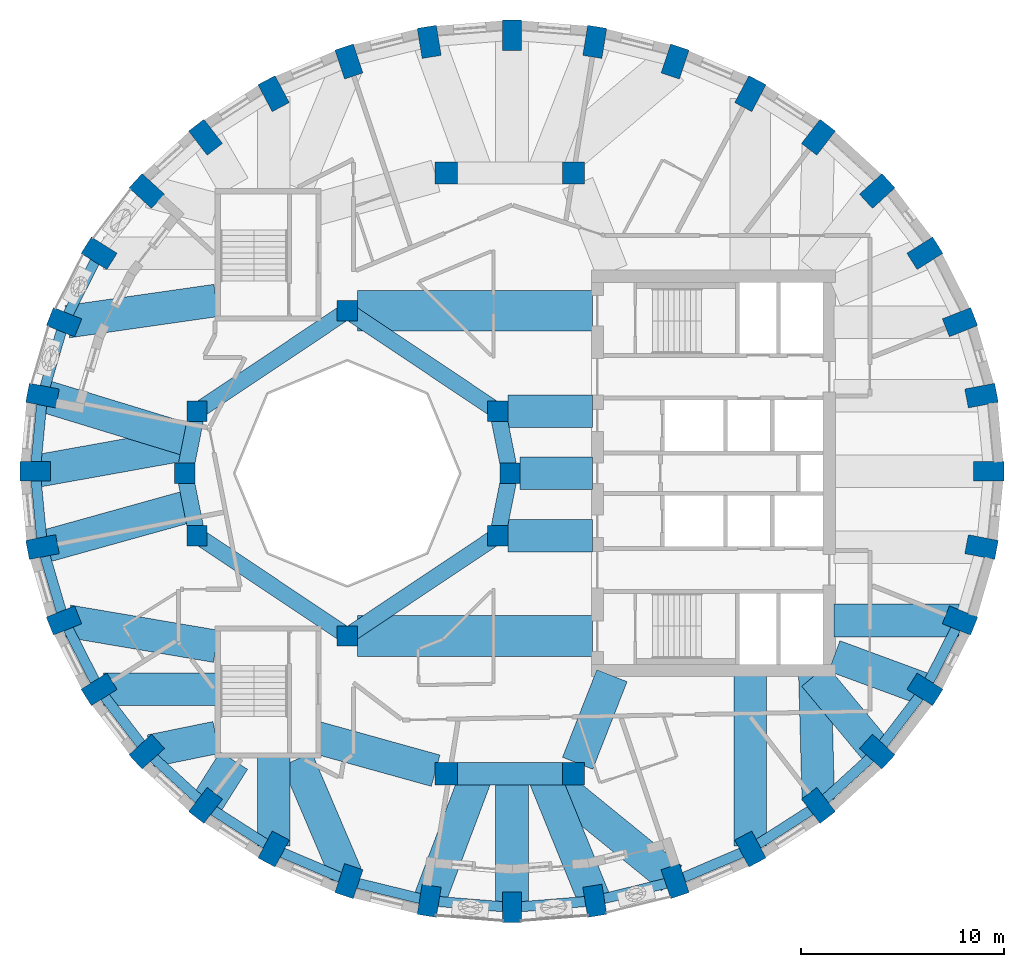
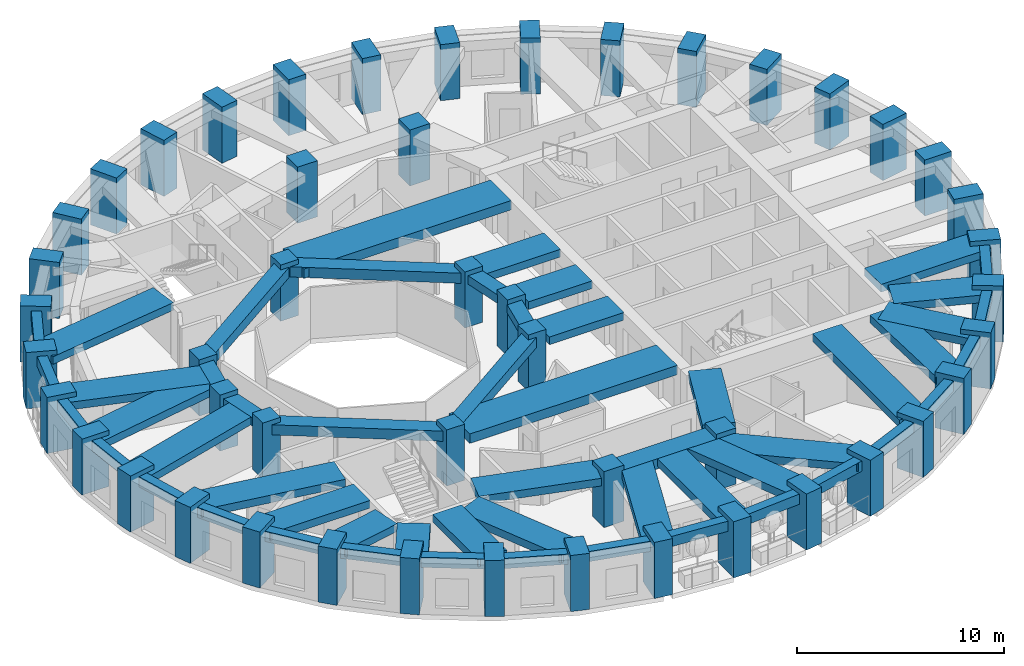
# One storey, part 1 of 11: 54 beams, 48 columns.
"""IFC4 building model written with IfcOpenShell, lengths in metres."""

from ifc_helpers import new_model, si_unit, direction, frame, origin, origin_2d, place, context, subcontext, project, spatial, rectangle, extrude, material, material_profile, profile_set, type_object, element, save


model = new_model("IFC4")

# Units and contexts
model_context = context("Model", 3, precision=1e-05, world=origin(), true_north=direction((0.0, 1.0)))
body_context = subcontext(model_context, "Body", "Model", "MODEL_VIEW")
ifc_project = project(units=[si_unit("LENGTHUNIT", "METRE"), si_unit("AREAUNIT", "SQUARE_METRE"), si_unit("VOLUMEUNIT", "CUBIC_METRE"), si_unit("PLANEANGLEUNIT", "RADIAN"), si_unit("MASSUNIT", "GRAM", prefix="KILO")], contexts=[model_context])

# Site, building, storey
site_placement = place(None, origin())
site = spatial("IfcSite", under=ifc_project, at=site_placement, CompositionType="ELEMENT")
building_placement = place(site_placement, origin())
building = spatial("IfcBuilding", under=site, at=building_placement, Name="Taillehof Tower", CompositionType="ELEMENT")
storey_placement = place(building_placement, frame((0.0, 0.0, 161.60009765625)))
storey = spatial("IfcBuildingStorey", under=building, at=storey_placement, Name="L45", CompositionType="ELEMENT", Elevation=161.60009765625)

# Columns
ifc_material_1 = material(Name="Concrete C50/60", Category="concrete")
ifc_material_profile_1 = material_profile(ifc_material_1, rectangle(XDim=1.0, YDim=1.0, at=origin_2d()), Name="RC 1000x1000")
ifc_profile_set_1 = profile_set([ifc_material_profile_1], Name="Concrete C50/60")
column_type_1 = type_object("IfcColumnType", Name="Atrium ring column C50/60 1000x1000", PredefinedType="COLUMN", material=ifc_profile_set_1)
for number, where, z_axis, x_axis, name in (
    (1, (0.0, 0.0, 0.0), (0.0, 0.0, 1.0), (1.0, 0.0, 0.0), "Column AC01"),
    (2, (-0.60888671875, 3.0615234375, 0.0), (0.0, 0.0, 1.0), (1.0, 0.0, 0.0), "Column AC02"),
    (3, (-8.0, 8.0, 0.0), (0.0, 0.0, 1.0), (1.0, 0.0, 0.0), "Column AC05"),
    (4, (-15.39111328125, 3.0615234375, 0.0), (0.0, 0.0, 1.0), (1.0, 0.0, 0.0), "Column AC08"),
    (5, (-16.0, 0.0, 0.0), (0.0, 0.0, 1.0), (1.0, 0.0, 0.0), "Column AC09"),
    (6, (-15.39111328125, -3.0615234375, 0.0), (0.0, 0.0, 1.0), (1.0, 0.0, 0.0), "Column AC10"),
    (7, (-8.0, -8.0, 0.0), (0.0, 0.0, 1.0), (1.0, 0.0, 0.0), "Column AC13"),
    (8, (-0.60888671875, -3.0615234375, 0.0), (0.0, 0.0, 1.0), (1.0, 0.0, 0.0), "Column AC16"),
):
    element("IfcColumn", number, at=place(storey_placement, frame(where, z_axis=z_axis, x_axis=x_axis)), inside=storey, type_object=column_type_1, Name=name, PredefinedType="COLUMN", context=body_context, shape_type="SweptSolid", body=[
        extrude(rectangle(XDim=1.0, YDim=1.0, at=origin_2d()), origin(), (0.0, 0.0, 1.0), 3.2998046875),
    ])
ifc_material_2 = material(Name="Concrete C50/60", Category="concrete")
ifc_material_profile_2 = material_profile(ifc_material_2, rectangle(XDim=1.10009765625, YDim=1.10009765625, at=origin_2d()), Name="RC 1100x1100")
ifc_profile_set_2 = profile_set([ifc_material_profile_2], Name="Concrete C50/60")
column_type_2 = type_object("IfcColumnType", Name="Mid-ring column C50/60 1100x1100", PredefinedType="COLUMN", material=ifc_profile_set_2)
for number, where, z_axis, x_axis, name in (
    (9, (3.125732421875, 14.772216796875, 0.0), (0.0, 0.0, 1.0), (1.0, 0.0, 0.0), "Column MC05"),
    (10, (-3.125732421875, 14.772216796875, 0.0), (0.0, 0.0, 1.0), (1.0, 0.0, 0.0), "Column MC06"),
    (11, (-3.125732421875, -14.772216796875, 0.0), (0.0, 0.0, 1.0), (1.0, 0.0, 0.0), "Column MC14"),
    (12, (3.125732421875, -14.772216796875, 0.0), (0.0, 0.0, 1.0), (1.0, 0.0, 0.0), "Column MC15"),
):
    element("IfcColumn", number, at=place(storey_placement, frame(where, z_axis=z_axis, x_axis=x_axis)), inside=storey, type_object=column_type_2, Name=name, PredefinedType="COLUMN", context=body_context, shape_type="SweptSolid", body=[
        extrude(rectangle(XDim=1.10009765625, YDim=1.10009765625, at=origin_2d()), origin(), (0.0, 0.0, 1.0), 3.2998046875),
    ])
ifc_material_3 = material(Name="Concrete C60/75", Category="concrete")
ifc_material_profile_3 = material_profile(ifc_material_3, rectangle(XDim=1.5, YDim=0.949951171875, at=origin_2d()), Name="RC 1500x950")
ifc_profile_set_3 = profile_set([ifc_material_profile_3], Name="Concrete C60/75")
column_type_3 = type_object("IfcColumnType", Name="Ring column C60/75 1500x950", PredefinedType="COLUMN", material=ifc_profile_set_3)
for number, where, z_axis, x_axis, name in (
    (13, (23.550048828125, 0.10009765625, 0.0), (0.0, 0.0, 1.0), (1.0, 0.0, 0.0), "Ring column RC01"),
    (14, (23.19384765625, 3.82470703125, 0.0), (0.0, 0.0, 1.0), (0.98202380309, 0.188757119508, 0.0), "Ring column RC02"),
    (15, (22.1357421875, 7.436279296875, 0.0), (0.0, 0.0, 1.0), (0.929511471762, 0.368793199317, 0.0), "Ring column RC03"),
    (16, (20.408203125, 10.824951171875, 0.0), (0.0, 0.0, 1.0), (0.846334224225, 0.532652213837, 0.0), "Ring column RC04"),
    (17, (18.063720703125, 13.8876953125, 0.0), (0.0, 0.0, 1.0), (0.7378786352, 0.674933418727, 0.0), "Ring column RC05"),
    (18, (15.17333984375, 16.53173828125, 0.0), (0.0, 0.0, 1.0), (0.609970500644, 0.792424121506, 0.0), "Ring column RC06"),
    (19, (11.824951171875, 18.67626953125, 0.0), (0.0, 0.0, 1.0), (0.468042101717, 0.883706167807, 0.0), "Ring column RC07"),
    (20, (8.120361328125, 20.25634765625, 0.0), (0.0, 0.0, 1.0), (0.316702950283, 0.948524771043, 0.0), "Ring column RC08"),
    (21, (4.172119140625, 21.22412109375, 0.0), (0.0, 0.0, 1.0), (0.159679090777, 0.987168976401, 0.0), "Ring column RC09"),
    (22, (0.10009765625, 21.550048828125, 0.0), (0.0, 0.0, 1.0), (0.0, 1.0, 0.0), "Ring column RC10"),
    (23, (-3.97216796875, 21.22412109375, 0.0), (0.0, 0.0, 1.0), (-0.159679090777, 0.987168976401, 0.0), "Ring column RC11"),
    (24, (-7.92041015625, 20.25634765625, 0.0), (0.0, 0.0, 1.0), (-0.316702950283, 0.948524771043, 0.0), "Ring column RC12"),
    (25, (-11.625, 18.67626953125, 0.0), (0.0, 0.0, 1.0), (-0.468042101717, 0.883706167807, 0.0), "Ring column RC13"),
    (26, (-14.973388671875, 16.53173828125, 0.0), (0.0, 0.0, 1.0), (-0.609970500644, 0.792424121506, 0.0), "Ring column RC14"),
    (27, (-17.86376953125, 13.8876953125, 0.0), (0.0, 0.0, 1.0), (-0.7378786352, 0.674933418727, 0.0), "Ring column RC15"),
    (28, (-20.208251953125, 10.824951171875, 0.0), (0.0, 0.0, 1.0), (-0.846334224225, 0.532652213837, 0.0), "Ring column RC16"),
    (29, (-21.935791015625, 7.436279296875, 0.0), (0.0, 0.0, 1.0), (-0.929511471762, 0.368793199317, 0.0), "Ring column RC17"),
    (30, (-22.99365234375, 3.82470703125, 0.0), (0.0, 0.0, 1.0), (-0.98202380309, 0.188757119508, 0.0), "Ring column RC18"),
    (31, (-23.35009765625, 0.10009765625, 0.0), (0.0, 0.0, 1.0), (-1.0, 0.0, 0.0), "Ring column RC19"),
    (32, (-22.99365234375, -3.624755859375, 0.0), (0.0, 0.0, 1.0), (-0.98202380309, -0.188757119508, 0.0), "Ring column RC20"),
    (33, (-21.935791015625, -7.236328125, 0.0), (0.0, 0.0, 1.0), (-0.929511471762, -0.368793199317, 0.0), "Ring column RC21"),
    (34, (-20.208251953125, -10.625, 0.0), (0.0, 0.0, 1.0), (-0.846334224225, -0.532652213837, 0.0), "Ring column RC22"),
    (35, (-17.86376953125, -13.687744140625, 0.0), (0.0, 0.0, 1.0), (-0.7378786352, -0.674933418727, 0.0), "Ring column RC23"),
    (36, (-14.973388671875, -16.33154296875, 0.0), (0.0, 0.0, 1.0), (-0.609970500644, -0.792424121506, 0.0), "Ring column RC24"),
    (37, (-11.625, -18.476318359375, 0.0), (0.0, 0.0, 1.0), (-0.468042101717, -0.883706167807, 0.0), "Ring column RC25"),
    (38, (-7.92041015625, -20.056396484375, 0.0), (0.0, 0.0, 1.0), (-0.316702950283, -0.948524771043, 0.0), "Ring column RC26"),
    (39, (-3.97216796875, -21.024169921875, 0.0), (0.0, 0.0, 1.0), (-0.159679090777, -0.987168976401, 0.0), "Ring column RC27"),
    (40, (0.10009765625, -21.35009765625, 0.0), (0.0, 0.0, 1.0), (0.0, -1.0, 0.0), "Ring column RC28"),
    (41, (4.172119140625, -21.024169921875, 0.0), (0.0, 0.0, 1.0), (0.159679090777, -0.987168976401, 0.0), "Ring column RC29"),
    (42, (8.120361328125, -20.056396484375, 0.0), (0.0, 0.0, 1.0), (0.316702950283, -0.948524771043, 0.0), "Ring column RC30"),
    (43, (11.824951171875, -18.476318359375, 0.0), (0.0, 0.0, 1.0), (0.468042101717, -0.883706167807, 0.0), "Ring column RC31"),
    (44, (15.17333984375, -16.33154296875, 0.0), (0.0, 0.0, 1.0), (0.609970500644, -0.792424121506, 0.0), "Ring column RC32"),
    (45, (18.063720703125, -13.687744140625, 0.0), (0.0, 0.0, 1.0), (0.7378786352, -0.674933418727, 0.0), "Ring column RC33"),
    (46, (20.408203125, -10.625, 0.0), (0.0, 0.0, 1.0), (0.846334224225, -0.532652213837, 0.0), "Ring column RC34"),
    (47, (22.1357421875, -7.236328125, 0.0), (0.0, 0.0, 1.0), (0.929511471762, -0.368793199317, 0.0), "Ring column RC35"),
    (48, (23.19384765625, -3.624755859375, 0.0), (0.0, 0.0, 1.0), (0.98202380309, -0.188757119508, 0.0), "Ring column RC36"),
):
    element("IfcColumn", number, at=place(storey_placement, frame(where, z_axis=z_axis, x_axis=x_axis)), inside=storey, type_object=column_type_3, Name=name, PredefinedType="COLUMN", context=body_context, shape_type="SweptSolid", body=[
        extrude(rectangle(XDim=1.5, YDim=0.949951171875, at=origin_2d()), origin(), (0.0, 0.0, 1.0), 3.2998046875),
    ])

# Beams
ifc_material_4 = material(Name="Concrete C50/60", Category="concrete")
ifc_material_profile_4 = material_profile(ifc_material_4, rectangle(XDim=0.800048828125, YDim=0.5, at=origin_2d()), Name="RC 800x500")
ifc_profile_set_4 = profile_set([ifc_material_profile_4], Name="Concrete C50/60")
beam_type_1 = type_object("IfcBeamType", Name="Atrium ring beam C50/60 800x500", PredefinedType="BEAM", material=ifc_profile_set_4)
for number, where, z_axis, x_axis, name in (
    (49, (0.0, 0.0, 2.77001953125), (-0.195063155143, 0.980790683839, 0.0), (-0.980790683839, -0.195063155143, 0.0), "Atrium ring beam AB01"),
    (50, (-15.39111328125, 3.0615234375, 2.77001953125), (-0.195063155143, -0.980790683839, 0.0), (0.980790683839, -0.195063155143, 0.0), "Atrium ring beam AB04"),
    (51, (-16.0, 0.0, 2.77001953125), (0.195063155143, -0.980790683839, 0.0), (0.980790683839, 0.195063155143, 0.0), "Atrium ring beam AB05"),
    (52, (-0.60888671875, -3.0615234375, 2.77001953125), (0.195063155143, 0.980790683839, 0.0), (-0.980790683839, 0.195063155143, 0.0), "Atrium ring beam AB08"),
):
    element("IfcBeam", number, at=place(storey_placement, frame(where, z_axis=z_axis, x_axis=x_axis)), inside=storey, type_object=beam_type_1, Name=name, PredefinedType="BEAM", context=body_context, shape_type="SweptSolid", body=[
        extrude(rectangle(XDim=0.800048828125, YDim=0.5, at=origin_2d()), origin(), (0.0, 0.0, 1.0), 3.12158203125),
    ])
ifc_material_5 = material(Name="Concrete C50/60", Category="concrete")
ifc_material_profile_5 = material_profile(ifc_material_5, rectangle(XDim=0.800048828125, YDim=0.60009765625, at=origin_2d()), Name="RC 800x600")
ifc_profile_set_5 = profile_set([ifc_material_profile_5], Name="Concrete C50/60")
beam_type_2 = type_object("IfcBeamType", Name="Atrium ring beam C50/60 800x600", PredefinedType="BEAM", material=ifc_profile_set_5)
for number, where, z_axis, x_axis, name in (
    (53, (-0.60888671875, 3.0615234375, 2.719970703125), (-0.831475195687, 0.555561876804, 0.0), (-0.555561876804, -0.831475195687, 0.0), "Atrium ring beam AB02"),
    (54, (-8.0, 8.0, 2.719970703125), (-0.831475195687, -0.555561876804, 0.0), (0.555561876804, -0.831475195687, 0.0), "Atrium ring beam AB03"),
    (55, (-15.39111328125, -3.0615234375, 2.719970703125), (0.831475195687, -0.555561876804, 0.0), (0.555561876804, 0.831475195687, 0.0), "Atrium ring beam AB06"),
    (56, (-8.0, -8.0, 2.719970703125), (0.831475195687, 0.555561876804, 0.0), (-0.555561876804, 0.831475195687, 0.0), "Atrium ring beam AB07"),
):
    element("IfcBeam", number, at=place(storey_placement, frame(where, z_axis=z_axis, x_axis=x_axis)), inside=storey, type_object=beam_type_2, Name=name, PredefinedType="BEAM", context=body_context, shape_type="SweptSolid", body=[
        extrude(rectangle(XDim=0.800048828125, YDim=0.60009765625, at=origin_2d()), origin(), (0.0, 0.0, 1.0), 8.88916015625),
    ])
ifc_material_6 = material(Name="Concrete C50/60", Category="concrete")
ifc_material_profile_6 = material_profile(ifc_material_6, rectangle(XDim=1.10009765625, YDim=0.60009765625, at=origin_2d()), Name="RC 1100x600")
ifc_profile_set_6 = profile_set([ifc_material_profile_6], Name="Concrete C50/60")
beam_type_3 = type_object("IfcBeamType", Name="Mid-ring beam C50/60 1100x600", PredefinedType="BEAM", material=ifc_profile_set_6)
beam_1_placement = place(storey_placement, frame((-3.125732421875, -14.772216796875, 2.719970703125), z_axis=(1.0, 0.0, 0.0), x_axis=(0.0, 1.0, 0.0)))
element("IfcBeam", 57, at=beam_1_placement, inside=storey, type_object=beam_type_3, Name="Mid-ring beam MB02", PredefinedType="BEAM", context=body_context, shape_type="SweptSolid", body=[
    extrude(rectangle(XDim=1.10009765625, YDim=0.60009765625, at=origin_2d()), origin(), (0.0, 0.0, 1.0), 6.25146484375),
])
ifc_material_7 = material(Name="Concrete C50/60", Category="concrete")
ifc_material_profile_7 = material_profile(ifc_material_7, rectangle(XDim=1.60009765625, YDim=0.449951171875, at=origin_2d()), Name="RC 1600x450")
ifc_profile_set_7 = profile_set([ifc_material_profile_7], Name="Concrete C50/60")
beam_type_4 = type_object("IfcBeamType", Name="Radial band beam C50/60 1600x450", PredefinedType="BEAM", material=ifc_profile_set_7)
beam_2_placement = place(storey_placement, frame((-21.766845703125, 7.46044921875, 2.794921875), z_axis=(0.989922388732, 0.141610961042, 0.0), x_axis=(-0.141610961042, 0.989922388732, 0.0)))
element("IfcBeam", 58, at=beam_2_placement, inside=storey, type_object=beam_type_4, Name="Radial band beam RB17", PredefinedType="BEAM", context=body_context, shape_type="SweptSolid", body=[
    extrude(rectangle(XDim=1.60009765625, YDim=0.449951171875, at=origin_2d()), origin(), (0.0, 0.0, 1.0), 7.390869140625),
])
beam_3_placement = place(storey_placement, frame((-22.99365234375, 3.82470703125, 2.794921875), z_axis=(0.956324293447, -0.292307792854, 0.0), x_axis=(0.292307792854, 0.956324293447, 0.0)))
element("IfcBeam", 59, at=beam_3_placement, inside=storey, type_object=beam_type_4, Name="Radial band beam RB18", PredefinedType="BEAM", context=body_context, shape_type="SweptSolid", body=[
    extrude(rectangle(XDim=1.60009765625, YDim=0.449951171875, at=origin_2d()), origin(), (0.0, 0.0, 1.0), 7.643798828125),
])
beam_4_placement = place(storey_placement, frame((-23.35009765625, 0.10009765625, 2.794921875), z_axis=(0.984286763882, 0.176577366745, 0.0), x_axis=(-0.176577366745, 0.984286763882, 0.0)))
element("IfcBeam", 60, at=beam_4_placement, inside=storey, type_object=beam_type_4, Name="Radial band beam RB19", PredefinedType="BEAM", context=body_context, shape_type="SweptSolid", body=[
    extrude(rectangle(XDim=1.60009765625, YDim=0.449951171875, at=origin_2d()), origin(), (0.0, 0.0, 1.0), 7.764892578125),
])
beam_5_placement = place(storey_placement, frame((-22.99365234375, -3.624755859375, 2.794921875), z_axis=(0.96338688135, 0.268115118639, 0.0), x_axis=(-0.268115118639, 0.96338688135, 0.0)))
element("IfcBeam", 61, at=beam_5_placement, inside=storey, type_object=beam_type_4, Name="Radial band beam RB20", PredefinedType="BEAM", context=body_context, shape_type="SweptSolid", body=[
    extrude(rectangle(XDim=1.60009765625, YDim=0.449951171875, at=origin_2d()), origin(), (0.0, 0.0, 1.0), 7.587890625),
])
beam_6_placement = place(storey_placement, frame((-21.744140625, -7.268798828125, 2.794921875), z_axis=(0.985864460395, -0.167544817079, 0.0), x_axis=(0.167544817079, 0.985864460395, 0.0)))
element("IfcBeam", 62, at=beam_6_placement, inside=storey, type_object=beam_type_4, Name="Radial band beam RB21", PredefinedType="BEAM", context=body_context, shape_type="SweptSolid", body=[
    extrude(rectangle(XDim=1.60009765625, YDim=0.449951171875, at=origin_2d()), origin(), (0.0, 0.0, 1.0), 7.39794921875),
])
beam_7_placement = place(storey_placement, frame((-19.9990234375, -10.625, 2.794921875), z_axis=(1.0, 0.0, 0.0), x_axis=(0.0, 1.0, 0.0)))
element("IfcBeam", 63, at=beam_7_placement, inside=storey, type_object=beam_type_4, Name="Radial band beam RB22", PredefinedType="BEAM", context=body_context, shape_type="SweptSolid", body=[
    extrude(rectangle(XDim=1.60009765625, YDim=0.449951171875, at=origin_2d()), origin(), (0.0, 0.0, 1.0), 5.549072265625),
])
beam_8_placement = place(storey_placement, frame((-17.678955078125, -13.64990234375, 2.794921875), z_axis=(0.979736748385, 0.200289550059, 0.0), x_axis=(-0.200289550059, 0.979736748385, 0.0)))
element("IfcBeam", 64, at=beam_8_placement, inside=storey, type_object=beam_type_4, Name="Radial band beam RB23", PredefinedType="BEAM", context=body_context, shape_type="SweptSolid", body=[
    extrude(rectangle(XDim=1.60009765625, YDim=0.449951171875, at=origin_2d()), origin(), (0.0, 0.0, 1.0), 3.294677734375),
])
beam_9_placement = place(storey_placement, frame((-14.973388671875, -16.33154296875, 2.794921875), z_axis=(0.534207803896, 0.845353193794, 0.0), x_axis=(-0.845353193794, 0.534207803896, 0.0)))
element("IfcBeam", 65, at=beam_9_placement, inside=storey, type_object=beam_type_4, Name="Radial band beam RB24", PredefinedType="BEAM", context=body_context, shape_type="SweptSolid", body=[
    extrude(rectangle(XDim=1.60009765625, YDim=0.449951171875, at=origin_2d()), origin(), (0.0, 0.0, 1.0), 2.608154296875),
])
beam_10_placement = place(storey_placement, frame((-11.625, -18.33642578125, 2.794921875), z_axis=(0.0, 1.0, 0.0), x_axis=(-1.0, 0.0, 0.0)))
element("IfcBeam", 66, at=beam_10_placement, inside=storey, type_object=beam_type_4, Name="Radial band beam RB25", PredefinedType="BEAM", context=body_context, shape_type="SweptSolid", body=[
    extrude(rectangle(XDim=1.60009765625, YDim=0.449951171875, at=origin_2d()), origin(), (0.0, 0.0, 1.0), 4.386474609375),
])
beam_11_placement = place(storey_placement, frame((-8.049072265625, -19.75390625, 2.794921875), z_axis=(-0.391879389257, 0.9200166, 0.0), x_axis=(-0.9200166, -0.391879389257, 0.0)))
element("IfcBeam", 67, at=beam_11_placement, inside=storey, type_object=beam_type_4, Name="Radial band beam RB26", PredefinedType="BEAM", context=body_context, shape_type="SweptSolid", body=[
    extrude(rectangle(XDim=1.60009765625, YDim=0.449951171875, at=origin_2d()), origin(), (0.0, 0.0, 1.0), 6.18505859375),
])
beam_12_placement = place(storey_placement, frame((-3.97216796875, -21.024169921875, 2.794921875), z_axis=(0.351379850477, 0.936232984186, 0.0), x_axis=(-0.936232984186, 0.351379850477, 0.0)))
element("IfcBeam", 68, at=beam_12_placement, inside=storey, type_object=beam_type_4, Name="Radial band beam RB27", PredefinedType="BEAM", context=body_context, shape_type="SweptSolid", body=[
    extrude(rectangle(XDim=1.60009765625, YDim=0.449951171875, at=origin_2d()), origin(), (0.0, 0.0, 1.0), 6.677734375),
])
beam_13_placement = place(storey_placement, frame((0.10009765625, -21.35009765625, 2.794921875), z_axis=(0.0, 1.0, 0.0), x_axis=(-1.0, 0.0, 0.0)))
element("IfcBeam", 69, at=beam_13_placement, inside=storey, type_object=beam_type_4, Name="Radial band beam RB28", PredefinedType="BEAM", context=body_context, shape_type="SweptSolid", body=[
    extrude(rectangle(XDim=1.60009765625, YDim=0.449951171875, at=origin_2d()), origin(), (0.0, 0.0, 1.0), 6.577880859375),
])
beam_14_placement = place(storey_placement, frame((4.172119140625, -21.024169921875, 2.794921875), z_axis=(-0.377207279938, 0.926128861424, 0.0), x_axis=(-0.926128861424, -0.377207279938, 0.0)))
element("IfcBeam", 70, at=beam_14_placement, inside=storey, type_object=beam_type_4, Name="Radial band beam RB29", PredefinedType="BEAM", context=body_context, shape_type="SweptSolid", body=[
    extrude(rectangle(XDim=1.60009765625, YDim=0.449951171875, at=origin_2d()), origin(), (0.0, 0.0, 1.0), 6.750732421875),
])
beam_15_placement = place(storey_placement, frame((7.95556640625, -19.92236328125, 2.794921875), z_axis=(-0.775687012842, 0.631117784655, 0.0), x_axis=(-0.631117784655, -0.775687012842, 0.0)))
element("IfcBeam", 71, at=beam_15_placement, inside=storey, type_object=beam_type_4, Name="Radial band beam RB30", PredefinedType="BEAM", context=body_context, shape_type="SweptSolid", body=[
    extrude(rectangle(XDim=1.60009765625, YDim=0.449951171875, at=origin_2d()), origin(), (0.0, 0.0, 1.0), 8.048583984375),
])
beam_16_placement = place(storey_placement, frame((11.824951171875, -18.33642578125, 2.794921875), z_axis=(0.0, 1.0, 0.0), x_axis=(-1.0, 0.0, 0.0)))
element("IfcBeam", 72, at=beam_16_placement, inside=storey, type_object=beam_type_4, Name="Radial band beam RB31", PredefinedType="BEAM", context=body_context, shape_type="SweptSolid", body=[
    extrude(rectangle(XDim=1.60009765625, YDim=0.449951171875, at=origin_2d()), origin(), (0.0, 0.0, 1.0), 8.386474609375),
])
beam_17_placement = place(storey_placement, frame((15.166015625, -16.060546875, 2.794921875), z_axis=(-0.027397917621, 0.999624606595, 0.0), x_axis=(-0.999624606595, -0.027397917621, 0.0)))
element("IfcBeam", 73, at=beam_17_placement, inside=storey, type_object=beam_type_4, Name="Radial band beam RB32", PredefinedType="BEAM", context=body_context, shape_type="SweptSolid", body=[
    extrude(rectangle(XDim=1.60009765625, YDim=0.449951171875, at=origin_2d()), origin(), (0.0, 0.0, 1.0), 6.11279296875),
])
beam_18_placement = place(storey_placement, frame((18.063720703125, -13.687744140625, 2.794921875), z_axis=(-0.639018777093, 0.769191135234, 0.0), x_axis=(-0.769191135234, -0.639018777093, 0.0)))
element("IfcBeam", 74, at=beam_18_placement, inside=storey, type_object=beam_type_4, Name="Radial band beam RB33", PredefinedType="BEAM", context=body_context, shape_type="SweptSolid", body=[
    extrude(rectangle(XDim=1.60009765625, YDim=0.449951171875, at=origin_2d()), origin(), (0.0, 0.0, 1.0), 4.844482421875),
])
beam_19_placement = place(storey_placement, frame((20.408203125, -10.625, 2.794921875), z_axis=(-0.938275503033, 0.345888826661, 0.0), x_axis=(-0.345888826661, -0.938275503033, 0.0)))
element("IfcBeam", 75, at=beam_19_placement, inside=storey, type_object=beam_type_4, Name="Radial band beam RB34", PredefinedType="BEAM", context=body_context, shape_type="SweptSolid", body=[
    extrude(rectangle(XDim=1.60009765625, YDim=0.449951171875, at=origin_2d()), origin(), (0.0, 0.0, 1.0), 4.748046875),
])
beam_20_placement = place(storey_placement, frame((22.08642578125, -7.236328125, 2.794921875), z_axis=(-1.0, 0.0, 0.0), x_axis=(0.0, -1.0, 0.0)))
element("IfcBeam", 76, at=beam_20_placement, inside=storey, type_object=beam_type_4, Name="Radial band beam RB35", PredefinedType="BEAM", context=body_context, shape_type="SweptSolid", body=[
    extrude(rectangle(XDim=1.60009765625, YDim=0.449951171875, at=origin_2d()), origin(), (0.0, 0.0, 1.0), 6.136474609375),
])
beam_21_placement = place(storey_placement, frame((0.5, 0.0, 2.794921875), z_axis=(1.0, 0.0, 0.0), x_axis=(0.0, 1.0, 0.0)))
element("IfcBeam", 77, at=beam_21_placement, inside=storey, type_object=beam_type_4, Name="Inner band beam IB101", PredefinedType="BEAM", context=body_context, shape_type="SweptSolid", body=[
    extrude(rectangle(XDim=1.60009765625, YDim=0.449951171875, at=origin_2d()), origin(), (0.0, 0.0, 1.0), 3.550048828125),
])
for number, where, z_axis, x_axis, name in (
    (78, (-0.10888671875, 3.0615234375, 2.794921875), (1.0, 0.0, 0.0), (0.0, 1.0, 0.0), "Inner band beam IB102"),
    (79, (-0.10888671875, -3.0615234375, 2.794921875), (1.0, 0.0, 0.0), (0.0, 1.0, 0.0), "Inner band beam IB116"),
):
    element("IfcBeam", number, at=place(storey_placement, frame(where, z_axis=z_axis, x_axis=x_axis)), inside=storey, type_object=beam_type_4, Name=name, PredefinedType="BEAM", context=body_context, shape_type="SweptSolid", body=[
        extrude(rectangle(XDim=1.60009765625, YDim=0.449951171875, at=origin_2d()), origin(), (0.0, 0.0, 1.0), 4.158935546875),
    ])
beam_22_placement = place(storey_placement, frame((-3.655517578125, -14.624755859375, 2.794921875), z_axis=(-0.963459369536, 0.267854518821, 0.0), x_axis=(-0.267854518821, -0.963459369536, 0.0)))
element("IfcBeam", 80, at=beam_22_placement, inside=storey, type_object=beam_type_4, Name="Inner band beam IB214", PredefinedType="BEAM", context=body_context, shape_type="SweptSolid", body=[
    extrude(rectangle(XDim=1.60009765625, YDim=0.449951171875, at=origin_2d()), origin(), (0.0, 0.0, 1.0), 6.096923828125),
])
beam_23_placement = place(storey_placement, frame((3.32666015625, -14.26025390625, 2.794921875), z_axis=(0.365588707223, 0.930776502255, 0.0), x_axis=(-0.930776502255, 0.365588707223, 0.0)))
element("IfcBeam", 81, at=beam_23_placement, inside=storey, type_object=beam_type_4, Name="Inner band beam IB215", PredefinedType="BEAM", context=body_context, shape_type="SweptSolid", body=[
    extrude(rectangle(XDim=1.60009765625, YDim=0.449951171875, at=origin_2d()), origin(), (0.0, 0.0, 1.0), 4.627197265625),
])
ifc_material_8 = material(Name="Concrete C50/60", Category="concrete")
ifc_material_profile_8 = material_profile(ifc_material_8, rectangle(XDim=2.0, YDim=0.550048828125, at=origin_2d()), Name="RC 2000x550")
ifc_profile_set_8 = profile_set([ifc_material_profile_8], Name="Concrete C50/60")
beam_type_5 = type_object("IfcBeamType", Name="Radial band beam C50/60 2000x550", PredefinedType="BEAM", material=ifc_profile_set_8)
for number, where, z_axis, x_axis, name in (
    (82, (-7.5, 8.0, 2.744873046875), (1.0, 0.0, 0.0), (0.0, 1.0, 0.0), "Inner band beam IB105"),
    (83, (-7.5, -8.0, 2.744873046875), (1.0, 0.0, 0.0), (0.0, 1.0, 0.0), "Inner band beam IB113"),
):
    element("IfcBeam", number, at=place(storey_placement, frame(where, z_axis=z_axis, x_axis=x_axis)), inside=storey, type_object=beam_type_5, Name=name, PredefinedType="BEAM", context=body_context, shape_type="SweptSolid", body=[
        extrude(rectangle(XDim=2.0, YDim=0.550048828125, at=origin_2d()), origin(), (0.0, 0.0, 1.0), 11.550048828125),
    ])
ifc_material_9 = material(Name="Concrete C50/60", Category="concrete")
ifc_material_profile_9 = material_profile(ifc_material_9, rectangle(XDim=0.5, YDim=0.60009765625, at=origin_2d()), Name="RC 500x600")
ifc_profile_set_9 = profile_set([ifc_material_profile_9], Name="Concrete C50/60")
beam_type_6 = type_object("IfcBeamType", Name="Spandrel beam C50/60 500x600", PredefinedType="SPANDREL", material=ifc_profile_set_9)
beam_24_placement = place(storey_placement, frame((-20.208251953125, 10.824951171875, 2.719970703125), z_axis=(-0.454183451696, -0.890908183937, 0.0), x_axis=(0.890908183937, -0.454183451696, 0.0)))
element("IfcBeam", 84, at=beam_24_placement, inside=storey, type_object=beam_type_6, Name="Spandrel beam SB16", PredefinedType="SPANDREL", context=body_context, shape_type="SweptSolid", body=[
    extrude(rectangle(XDim=0.5, YDim=0.60009765625, at=origin_2d()), origin(), (0.0, 0.0, 1.0), 3.8037109375),
])
beam_25_placement = place(storey_placement, frame((-21.935791015625, 7.436279296875, 2.719970703125), z_axis=(-0.281098416478, -0.959678946447, 0.0), x_axis=(0.959678946447, -0.281098416478, 0.0)))
element("IfcBeam", 85, at=beam_25_placement, inside=storey, type_object=beam_type_6, Name="Spandrel beam SB17", PredefinedType="SPANDREL", context=body_context, shape_type="SweptSolid", body=[
    extrude(rectangle(XDim=0.5, YDim=0.60009765625, at=origin_2d()), origin(), (0.0, 0.0, 1.0), 3.763427734375),
])
beam_26_placement = place(storey_placement, frame((-22.99365234375, 3.82470703125, 2.719970703125), z_axis=(-0.095264805358, -0.995451966124, 0.0), x_axis=(0.995451966124, -0.095264805358, 0.0)))
element("IfcBeam", 86, at=beam_26_placement, inside=storey, type_object=beam_type_6, Name="Spandrel beam SB18", PredefinedType="SPANDREL", context=body_context, shape_type="SweptSolid", body=[
    extrude(rectangle(XDim=0.5, YDim=0.60009765625, at=origin_2d()), origin(), (0.0, 0.0, 1.0), 3.74169921875),
])
beam_27_placement = place(storey_placement, frame((-23.35009765625, 0.10009765625, 2.719970703125), z_axis=(0.095258618013, -0.995452558234, 0.0), x_axis=(0.995452558234, 0.095258618013, 0.0)))
element("IfcBeam", 87, at=beam_27_placement, inside=storey, type_object=beam_type_6, Name="Spandrel beam SB19", PredefinedType="SPANDREL", context=body_context, shape_type="SweptSolid", body=[
    extrude(rectangle(XDim=0.5, YDim=0.60009765625, at=origin_2d()), origin(), (0.0, 0.0, 1.0), 3.741943359375),
])
beam_28_placement = place(storey_placement, frame((-22.99365234375, -3.624755859375, 2.719970703125), z_axis=(0.281098416478, -0.959678946447, 0.0), x_axis=(0.959678946447, 0.281098416478, 0.0)))
element("IfcBeam", 88, at=beam_28_placement, inside=storey, type_object=beam_type_6, Name="Spandrel beam SB20", PredefinedType="SPANDREL", context=body_context, shape_type="SweptSolid", body=[
    extrude(rectangle(XDim=0.5, YDim=0.60009765625, at=origin_2d()), origin(), (0.0, 0.0, 1.0), 3.763427734375),
])
beam_29_placement = place(storey_placement, frame((-21.935791015625, -7.236328125, 2.719970703125), z_axis=(0.454183451696, -0.890908183937, 0.0), x_axis=(0.890908183937, 0.454183451696, 0.0)))
element("IfcBeam", 89, at=beam_29_placement, inside=storey, type_object=beam_type_6, Name="Spandrel beam SB21", PredefinedType="SPANDREL", context=body_context, shape_type="SweptSolid", body=[
    extrude(rectangle(XDim=0.5, YDim=0.60009765625, at=origin_2d()), origin(), (0.0, 0.0, 1.0), 3.8037109375),
])
beam_30_placement = place(storey_placement, frame((-20.208251953125, -10.625, 2.719970703125), z_axis=(0.60784004271, -0.794059495553, 0.0), x_axis=(0.794059495553, 0.60784004271, 0.0)))
element("IfcBeam", 90, at=beam_30_placement, inside=storey, type_object=beam_type_6, Name="Spandrel beam SB22", PredefinedType="SPANDREL", context=body_context, shape_type="SweptSolid", body=[
    extrude(rectangle(XDim=0.5, YDim=0.60009765625, at=origin_2d()), origin(), (0.0, 0.0, 1.0), 3.857177734375),
])
beam_31_placement = place(storey_placement, frame((-17.86376953125, -13.687744140625, 2.719970703125), z_axis=(0.737880696592, -0.674931165081, 0.0), x_axis=(0.674931165081, 0.737880696592, 0.0)))
element("IfcBeam", 91, at=beam_31_placement, inside=storey, type_object=beam_type_6, Name="Spandrel beam SB23", PredefinedType="SPANDREL", context=body_context, shape_type="SweptSolid", body=[
    extrude(rectangle(XDim=0.5, YDim=0.60009765625, at=origin_2d()), origin(), (0.0, 0.0, 1.0), 3.917236328125),
])
beam_32_placement = place(storey_placement, frame((-14.973388671875, -16.33154296875, 2.719970703125), z_axis=(0.842065054946, -0.539375975771, 0.0), x_axis=(0.539375975771, 0.842065054946, 0.0)))
element("IfcBeam", 92, at=beam_32_placement, inside=storey, type_object=beam_type_6, Name="Spandrel beam SB24", PredefinedType="SPANDREL", context=body_context, shape_type="SweptSolid", body=[
    extrude(rectangle(XDim=0.5, YDim=0.60009765625, at=origin_2d()), origin(), (0.0, 0.0, 1.0), 3.976318359375),
])
beam_33_placement = place(storey_placement, frame((-11.625, -18.476318359375, 2.719970703125), z_axis=(0.919827173659, -0.392323808351, 0.0), x_axis=(0.392323808351, 0.919827173659, 0.0)))
element("IfcBeam", 93, at=beam_33_placement, inside=storey, type_object=beam_type_6, Name="Spandrel beam SB25", PredefinedType="SPANDREL", context=body_context, shape_type="SweptSolid", body=[
    extrude(rectangle(XDim=0.5, YDim=0.60009765625, at=origin_2d()), origin(), (0.0, 0.0, 1.0), 4.027587890625),
])
beam_34_placement = place(storey_placement, frame((-7.92041015625, -20.056396484375, 2.719970703125), z_axis=(0.971248584585, -0.238067610023, 0.0), x_axis=(0.238067610023, 0.971248584585, 0.0)))
element("IfcBeam", 94, at=beam_34_placement, inside=storey, type_object=beam_type_6, Name="Spandrel beam SB26", PredefinedType="SPANDREL", context=body_context, shape_type="SweptSolid", body=[
    extrude(rectangle(XDim=0.5, YDim=0.60009765625, at=origin_2d()), origin(), (0.0, 0.0, 1.0), 4.065185546875),
])
beam_35_placement = place(storey_placement, frame((-3.97216796875, -21.024169921875, 2.719970703125), z_axis=(0.996812427616, -0.079780850771, 0.0), x_axis=(0.079780850771, 0.996812427616, 0.0)))
element("IfcBeam", 95, at=beam_35_placement, inside=storey, type_object=beam_type_6, Name="Spandrel beam SB27", PredefinedType="SPANDREL", context=body_context, shape_type="SweptSolid", body=[
    extrude(rectangle(XDim=0.5, YDim=0.60009765625, at=origin_2d()), origin(), (0.0, 0.0, 1.0), 4.085205078125),
])
beam_36_placement = place(storey_placement, frame((0.10009765625, -21.35009765625, 2.719970703125), z_axis=(0.996812047205, 0.079785603634, 0.0), x_axis=(-0.079785603634, 0.996812047205, 0.0)))
element("IfcBeam", 96, at=beam_36_placement, inside=storey, type_object=beam_type_6, Name="Spandrel beam SB28", PredefinedType="SPANDREL", context=body_context, shape_type="SweptSolid", body=[
    extrude(rectangle(XDim=0.5, YDim=0.60009765625, at=origin_2d()), origin(), (0.0, 0.0, 1.0), 4.0849609375),
])
beam_37_placement = place(storey_placement, frame((4.172119140625, -21.024169921875, 2.719970703125), z_axis=(0.971248584585, 0.238067610023, 0.0), x_axis=(-0.238067610023, 0.971248584585, 0.0)))
element("IfcBeam", 97, at=beam_37_placement, inside=storey, type_object=beam_type_6, Name="Spandrel beam SB29", PredefinedType="SPANDREL", context=body_context, shape_type="SweptSolid", body=[
    extrude(rectangle(XDim=0.5, YDim=0.60009765625, at=origin_2d()), origin(), (0.0, 0.0, 1.0), 4.065185546875),
])
beam_38_placement = place(storey_placement, frame((8.120361328125, -20.056396484375, 2.719970703125), z_axis=(0.919827173659, 0.392323808351, 0.0), x_axis=(-0.392323808351, 0.919827173659, 0.0)))
element("IfcBeam", 98, at=beam_38_placement, inside=storey, type_object=beam_type_6, Name="Spandrel beam SB30", PredefinedType="SPANDREL", context=body_context, shape_type="SweptSolid", body=[
    extrude(rectangle(XDim=0.5, YDim=0.60009765625, at=origin_2d()), origin(), (0.0, 0.0, 1.0), 4.027587890625),
])
beam_39_placement = place(storey_placement, frame((11.824951171875, -18.476318359375, 2.719970703125), z_axis=(0.842065054946, 0.539375975771, 0.0), x_axis=(-0.539375975771, 0.842065054946, 0.0)))
element("IfcBeam", 99, at=beam_39_placement, inside=storey, type_object=beam_type_6, Name="Spandrel beam SB31", PredefinedType="SPANDREL", context=body_context, shape_type="SweptSolid", body=[
    extrude(rectangle(XDim=0.5, YDim=0.60009765625, at=origin_2d()), origin(), (0.0, 0.0, 1.0), 3.976318359375),
])
beam_40_placement = place(storey_placement, frame((15.17333984375, -16.33154296875, 2.719970703125), z_axis=(0.737880696592, 0.674931165081, 0.0), x_axis=(-0.674931165081, 0.737880696592, 0.0)))
element("IfcBeam", 100, at=beam_40_placement, inside=storey, type_object=beam_type_6, Name="Spandrel beam SB32", PredefinedType="SPANDREL", context=body_context, shape_type="SweptSolid", body=[
    extrude(rectangle(XDim=0.5, YDim=0.60009765625, at=origin_2d()), origin(), (0.0, 0.0, 1.0), 3.917236328125),
])
beam_41_placement = place(storey_placement, frame((18.063720703125, -13.687744140625, 2.719970703125), z_axis=(0.60784004271, 0.794059495553, 0.0), x_axis=(-0.794059495553, 0.60784004271, 0.0)))
element("IfcBeam", 101, at=beam_41_placement, inside=storey, type_object=beam_type_6, Name="Spandrel beam SB33", PredefinedType="SPANDREL", context=body_context, shape_type="SweptSolid", body=[
    extrude(rectangle(XDim=0.5, YDim=0.60009765625, at=origin_2d()), origin(), (0.0, 0.0, 1.0), 3.857177734375),
])
beam_42_placement = place(storey_placement, frame((20.408203125, -10.625, 2.719970703125), z_axis=(0.454183451696, 0.890908183937, 0.0), x_axis=(-0.890908183937, 0.454183451696, 0.0)))
element("IfcBeam", 102, at=beam_42_placement, inside=storey, type_object=beam_type_6, Name="Spandrel beam SB34", PredefinedType="SPANDREL", context=body_context, shape_type="SweptSolid", body=[
    extrude(rectangle(XDim=0.5, YDim=0.60009765625, at=origin_2d()), origin(), (0.0, 0.0, 1.0), 3.8037109375),
])

save(model, "model.ifc")
